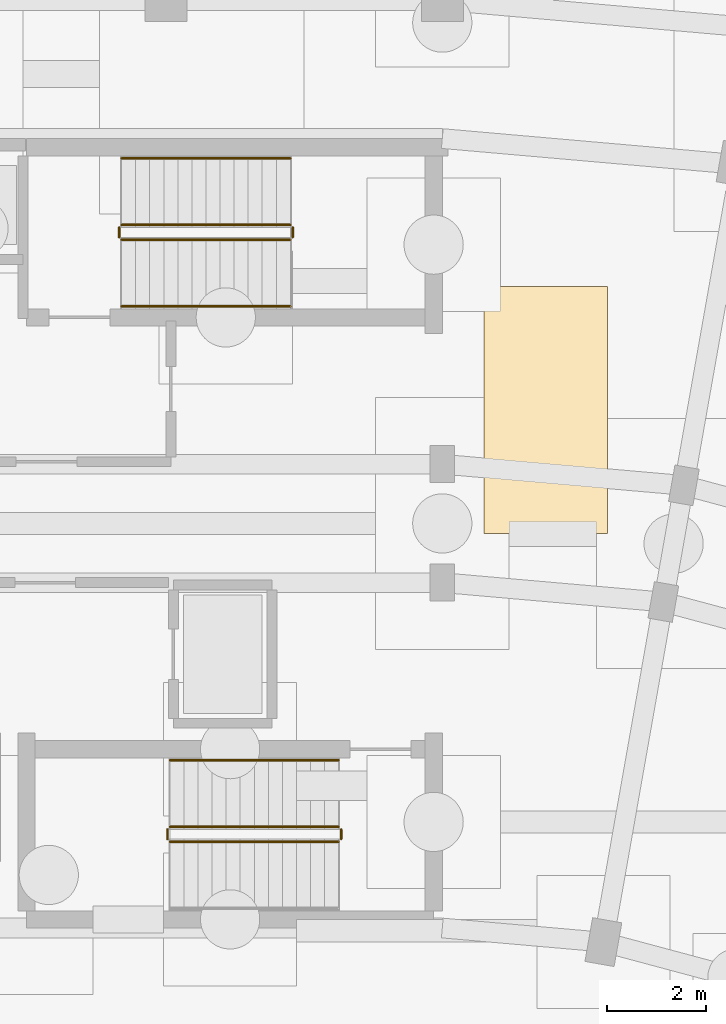
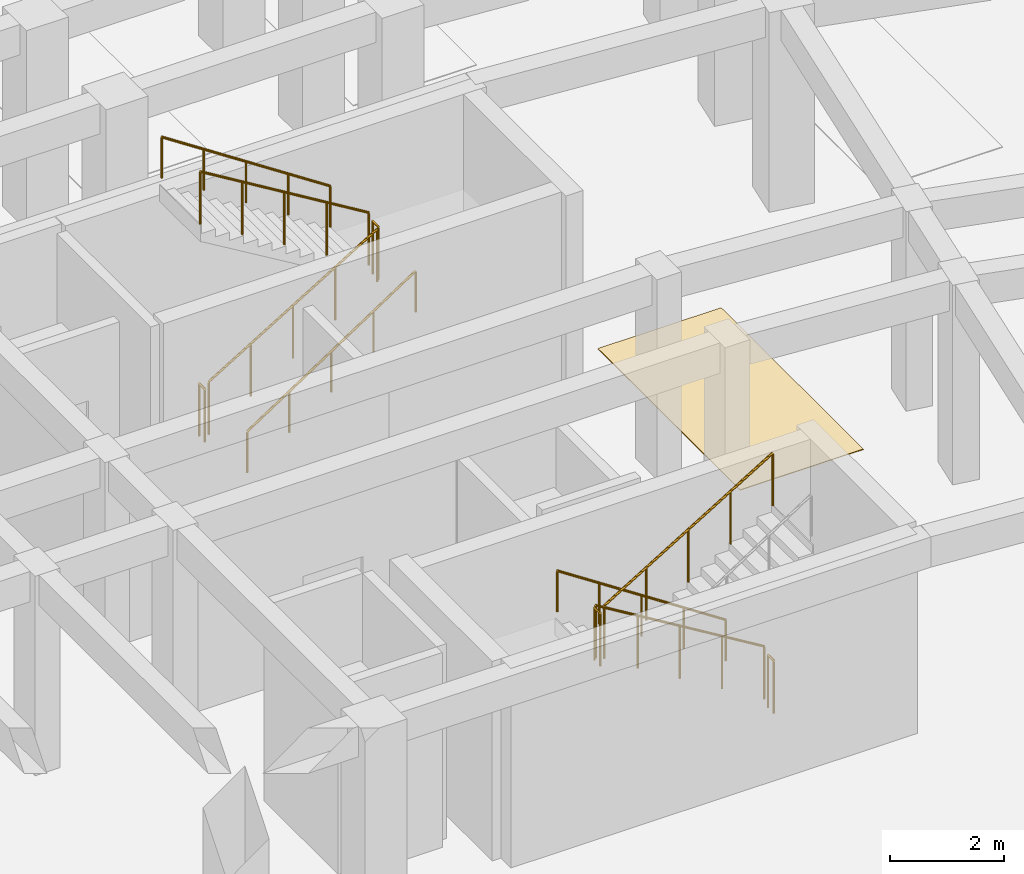
# One storey, part 48 of 53: 11 railings, 1 covering.
"""IFC4 building model written with IfcOpenShell, lengths in metres."""

from ifc_helpers import new_model, si_unit, direction, frame, origin, origin_2d, place, context, subcontext, project, spatial, polyline, circle, outline, extrude, material, layer, layer_set, type_object, element, save


model = new_model("IFC4")

# Units and contexts
model_context = context("Model", 3, precision=1e-05, world=origin(), true_north=direction((0.0, 1.0)))
body_context = subcontext(model_context, "Body", "Model", "MODEL_VIEW")
ifc_project = project(units=[si_unit("LENGTHUNIT", "METRE"), si_unit("AREAUNIT", "SQUARE_METRE"), si_unit("VOLUMEUNIT", "CUBIC_METRE"), si_unit("PLANEANGLEUNIT", "RADIAN"), si_unit("MASSUNIT", "GRAM", prefix="KILO")], contexts=[model_context])

# Site, building, storey
site_placement = place(None, origin())
site = spatial("IfcSite", under=ifc_project, at=site_placement, CompositionType="ELEMENT")
building_placement = place(site_placement, origin())
building = spatial("IfcBuilding", under=site, at=building_placement, Name="Kiranvali Square Residences", CompositionType="ELEMENT")
storey_placement = place(building_placement, frame((0.0, 0.0, -4.5)))
storey = spatial("IfcBuildingStorey", under=building, at=storey_placement, Name="B1", CompositionType="ELEMENT", Elevation=-4.5)

# Covering
ifc_material_1 = material(Name="Polished terrazzo and anti-slip vitrified floor finish", Category="stone")
ifc_layer = layer(ifc_material_1, 0.014892578125)
ifc_layer_set = layer_set([ifc_layer], Name="Polished terrazzo and anti-slip vitrified floor finish")
covering_type = type_object("IfcCoveringType", Name="COV-BAY-STD", PredefinedType="FLOORING", material=ifc_layer_set)
covering_placement = place(storey_placement, origin())
element("IfcCovering", 1, at=covering_placement, inside=storey, type_object=covering_type, Name="Standard Car Parking Bay P-014", PredefinedType="FLOORING", context=body_context, shape_type="SweptSolid", body=[
    extrude(outline(polyline([(120.64990234375, 114.60009765625), (123.14990234375, 114.60009765625), (123.14990234375, 119.60009765625), (120.64990234375, 119.60009765625), (120.64990234375, 114.60009765625)])), origin(), (0.0, 0.0, 1.0), 0.014892578125),
])

# Railings
ifc_material_2 = material(Name="Brushed stainless steel tubular handrail", Category="steel")
railing_type_1 = type_object("IfcRailingType", Name="RL-HANDRAIL-900", PredefinedType="HANDRAIL", material=ifc_material_2)
railing_1_placement = place(storey_placement, frame((113.300048828125, 119.199951171875, 0.173095703125)))
element("IfcRailing", 2, at=railing_1_placement, inside=storey, type_object=railing_type_1, Name="B1 ST-B1 stair handrail 1", PredefinedType="HANDRAIL", context=body_context, shape_type="SweptSolid", body=[
    extrude(circle(Radius=0.02392578125, at=origin_2d()), frame((0.0, 0.0, 0.8759765625), z_axis=(0.835411317272, 0.0, 0.549625264133), x_axis=(0.0, 1.0, 0.0)), (0.0, 0.0, 1.0), 4.09375),
    extrude(circle(Radius=0.02099609375, at=origin_2d()), origin(), (0.0, 0.0, 1.0), 0.851806640625),
    extrude(circle(Radius=0.02099609375, at=origin_2d()), frame((0.85498046875, 0.0, 0.5625)), (0.0, 0.0, 1.0), 0.851806640625),
    extrude(circle(Radius=0.02099609375, at=origin_2d()), frame((1.7099609375, 0.0, 1.125)), (0.0, 0.0, 1.0), 0.851806640625),
    extrude(circle(Radius=0.02099609375, at=origin_2d()), frame((2.56494140625, 0.0, 1.6875)), (0.0, 0.0, 1.0), 0.851806640625),
    extrude(circle(Radius=0.02099609375, at=origin_2d()), frame((3.419921875, 0.0, 2.25)), (0.0, 0.0, 1.0), 0.851806640625),
])
for number, where, name in (
    (3, (116.719970703125, 122.199951171875, 2.423095703125), "B1 ST-B1 stair handrail 2"),
    (4, (117.699951171875, 110.0, 0.173095703125), "B1 ST-B2 stair handrail 1"),
):
    element("IfcRailing", number, at=place(storey_placement, frame(where)), inside=storey, type_object=railing_type_1, Name=name, PredefinedType="HANDRAIL", context=body_context, shape_type="SweptSolid", body=[
        extrude(circle(Radius=0.02392578125, at=origin_2d()), frame((0.0, 0.0, 0.8759765625), z_axis=(-0.835411317272, 0.0, 0.549625264133), x_axis=(0.0, -1.0, 0.0)), (0.0, 0.0, 1.0), 4.09375),
        extrude(circle(Radius=0.02099609375, at=origin_2d()), origin(), (0.0, 0.0, 1.0), 0.851806640625),
        extrude(circle(Radius=0.02099609375, at=origin_2d()), frame((-0.85498046875, 0.0, 0.5625)), (0.0, 0.0, 1.0), 0.851806640625),
        extrude(circle(Radius=0.02099609375, at=origin_2d()), frame((-1.7099609375, 0.0, 1.125)), (0.0, 0.0, 1.0), 0.851806640625),
        extrude(circle(Radius=0.02099609375, at=origin_2d()), frame((-2.56494140625, 0.0, 1.6875)), (0.0, 0.0, 1.0), 0.851806640625),
        extrude(circle(Radius=0.02099609375, at=origin_2d()), frame((-3.419921875, 0.0, 2.25)), (0.0, 0.0, 1.0), 0.851806640625),
    ])
ifc_material_3 = material(Name="Powder-coated architectural bronze balustrade", Category="steel")
railing_type_2 = type_object("IfcRailingType", Name="RL-ST-GUARD-1200", PredefinedType="GUARDRAIL", material=ifc_material_3)
railing_2_placement = place(storey_placement, frame((113.300048828125, 120.550048828125, 0.173095703125)))
element("IfcRailing", 5, at=railing_2_placement, inside=storey, type_object=railing_type_2, Name="B1 ST-B1 stair guard 1", PredefinedType="GUARDRAIL", context=body_context, shape_type="SweptSolid", body=[
    extrude(circle(Radius=0.02392578125, at=origin_2d()), frame((0.0, 0.0, 1.1259765625), z_axis=(0.854729506542, 0.0, 0.519073665916), x_axis=(0.0, 1.0, 0.0)), (0.0, 0.0, 1.0), 4.001220703125),
    extrude(circle(Radius=0.02099609375, at=origin_2d()), origin(), (0.0, 0.0, 1.0), 1.101806640625),
    extrude(circle(Radius=0.02099609375, at=origin_2d()), frame((0.85498046875, 0.0, 0.519287109375)), (0.0, 0.0, 1.0), 1.101806640625),
    extrude(circle(Radius=0.02099609375, at=origin_2d()), frame((1.7099609375, 0.0, 1.03857421875)), (0.0, 0.0, 1.0), 1.101806640625),
    extrude(circle(Radius=0.02099609375, at=origin_2d()), frame((2.56494140625, 0.0, 1.5576171875)), (0.0, 0.0, 1.0), 1.101806640625),
    extrude(circle(Radius=0.02099609375, at=origin_2d()), frame((3.419921875, 0.0, 2.076904296875)), (0.0, 0.0, 1.0), 1.101806640625),
])
railing_3_placement = place(storey_placement, frame((116.77001953125, 120.60009765625, 2.25)))
element("IfcRailing", 6, at=railing_3_placement, inside=storey, type_object=railing_type_2, Name="B1 ST-B1 stair guard 2", PredefinedType="GUARDRAIL", context=body_context, shape_type="SweptSolid", body=[
    extrude(circle(Radius=0.02392578125, at=origin_2d()), frame((0.0, 0.0, 1.1259765625), z_axis=(0.0, 1.0, 0.0), x_axis=(-1.0, 0.0, 0.0)), (0.0, 0.0, 1.0), 0.199951171875),
    extrude(circle(Radius=0.02099609375, at=origin_2d()), origin(), (0.0, 0.0, 1.0), 1.101806640625),
    extrude(circle(Radius=0.02099609375, at=origin_2d()), frame((0.0, 0.199951171875, 0.0)), (0.0, 0.0, 1.0), 1.101806640625),
])
railing_4_placement = place(storey_placement, frame((116.719970703125, 120.85009765625, 2.423095703125)))
element("IfcRailing", 7, at=railing_4_placement, inside=storey, type_object=railing_type_2, Name="B1 ST-B1 stair guard 3", PredefinedType="GUARDRAIL", context=body_context, shape_type="SweptSolid", body=[
    extrude(circle(Radius=0.02392578125, at=origin_2d()), frame((0.0, 0.0, 1.1259765625), z_axis=(-0.854729506542, 0.0, 0.519073665916), x_axis=(0.0, -1.0, 0.0)), (0.0, 0.0, 1.0), 4.001220703125),
    extrude(circle(Radius=0.02099609375, at=origin_2d()), origin(), (0.0, 0.0, 1.0), 1.101806640625),
    extrude(circle(Radius=0.02099609375, at=origin_2d()), frame((-0.85498046875, 0.0, 0.519287109375)), (0.0, 0.0, 1.0), 1.101806640625),
    extrude(circle(Radius=0.02099609375, at=origin_2d()), frame((-1.7099609375, 0.0, 1.03857421875)), (0.0, 0.0, 1.0), 1.101806640625),
    extrude(circle(Radius=0.02099609375, at=origin_2d()), frame((-2.56494140625, 0.0, 1.5576171875)), (0.0, 0.0, 1.0), 1.101806640625),
    extrude(circle(Radius=0.02099609375, at=origin_2d()), frame((-3.419921875, 0.0, 2.076904296875)), (0.0, 0.0, 1.0), 1.101806640625),
])
railing_5_placement = place(storey_placement, frame((113.25, 120.60009765625, 0.0)))
element("IfcRailing", 8, at=railing_5_placement, inside=storey, type_object=railing_type_2, Name="B1 ST-B1 stair guard 4", PredefinedType="GUARDRAIL", context=body_context, shape_type="SweptSolid", body=[
    extrude(circle(Radius=0.02392578125, at=origin_2d()), frame((0.0, 0.0, 1.1259765625), z_axis=(0.0, 1.0, 0.0), x_axis=(-1.0, 0.0, 0.0)), (0.0, 0.0, 1.0), 0.199951171875),
    extrude(circle(Radius=0.02099609375, at=origin_2d()), origin(), (0.0, 0.0, 1.0), 1.101806640625),
    extrude(circle(Radius=0.02099609375, at=origin_2d()), frame((0.0, 0.199951171875, 0.0)), (0.0, 0.0, 1.0), 1.101806640625),
])
railing_6_placement = place(storey_placement, frame((117.699951171875, 108.64990234375, 0.173095703125)))
element("IfcRailing", 9, at=railing_6_placement, inside=storey, type_object=railing_type_2, Name="B1 ST-B2 stair guard 1", PredefinedType="GUARDRAIL", context=body_context, shape_type="SweptSolid", body=[
    extrude(circle(Radius=0.02392578125, at=origin_2d()), frame((0.0, 0.0, 1.1259765625), z_axis=(-0.854729506542, 0.0, 0.519073665916), x_axis=(0.0, -1.0, 0.0)), (0.0, 0.0, 1.0), 4.001220703125),
    extrude(circle(Radius=0.02099609375, at=origin_2d()), origin(), (0.0, 0.0, 1.0), 1.101806640625),
    extrude(circle(Radius=0.02099609375, at=origin_2d()), frame((-0.85498046875, 0.0, 0.519287109375)), (0.0, 0.0, 1.0), 1.101806640625),
    extrude(circle(Radius=0.02099609375, at=origin_2d()), frame((-1.7099609375, 0.0, 1.03857421875)), (0.0, 0.0, 1.0), 1.101806640625),
    extrude(circle(Radius=0.02099609375, at=origin_2d()), frame((-2.56494140625, 0.0, 1.5576171875)), (0.0, 0.0, 1.0), 1.101806640625),
    extrude(circle(Radius=0.02099609375, at=origin_2d()), frame((-3.419921875, 0.0, 2.076904296875)), (0.0, 0.0, 1.0), 1.101806640625),
])
railing_7_placement = place(storey_placement, frame((114.22998046875, 108.60009765625, 2.25)))
element("IfcRailing", 10, at=railing_7_placement, inside=storey, type_object=railing_type_2, Name="B1 ST-B2 stair guard 2", PredefinedType="GUARDRAIL", context=body_context, shape_type="SweptSolid", body=[
    extrude(circle(Radius=0.02392578125, at=origin_2d()), frame((0.0, 0.0, 1.1259765625), z_axis=(0.0, -1.0, 0.0), x_axis=(1.0, 0.0, 0.0)), (0.0, 0.0, 1.0), 0.2001953125),
    extrude(circle(Radius=0.02099609375, at=origin_2d()), origin(), (0.0, 0.0, 1.0), 1.101806640625),
    extrude(circle(Radius=0.02099609375, at=origin_2d()), frame((0.0, -0.2001953125, 0.0)), (0.0, 0.0, 1.0), 1.101806640625),
])
railing_8_placement = place(storey_placement, frame((114.280029296875, 108.35009765625, 2.423095703125)))
element("IfcRailing", 11, at=railing_8_placement, inside=storey, type_object=railing_type_2, Name="B1 ST-B2 stair guard 3", PredefinedType="GUARDRAIL", context=body_context, shape_type="SweptSolid", body=[
    extrude(circle(Radius=0.02392578125, at=origin_2d()), frame((0.0, 0.0, 1.1259765625), z_axis=(0.854729506542, 0.0, 0.519073665916), x_axis=(0.0, 1.0, 0.0)), (0.0, 0.0, 1.0), 4.001220703125),
    extrude(circle(Radius=0.02099609375, at=origin_2d()), origin(), (0.0, 0.0, 1.0), 1.101806640625),
    extrude(circle(Radius=0.02099609375, at=origin_2d()), frame((0.85498046875, 0.0, 0.519287109375)), (0.0, 0.0, 1.0), 1.101806640625),
    extrude(circle(Radius=0.02099609375, at=origin_2d()), frame((1.7099609375, 0.0, 1.03857421875)), (0.0, 0.0, 1.0), 1.101806640625),
    extrude(circle(Radius=0.02099609375, at=origin_2d()), frame((2.56494140625, 0.0, 1.5576171875)), (0.0, 0.0, 1.0), 1.101806640625),
    extrude(circle(Radius=0.02099609375, at=origin_2d()), frame((3.419921875, 0.0, 2.076904296875)), (0.0, 0.0, 1.0), 1.101806640625),
])
railing_9_placement = place(storey_placement, frame((117.75, 108.60009765625, 0.0)))
element("IfcRailing", 12, at=railing_9_placement, inside=storey, type_object=railing_type_2, Name="B1 ST-B2 stair guard 4", PredefinedType="GUARDRAIL", context=body_context, shape_type="SweptSolid", body=[
    extrude(circle(Radius=0.02392578125, at=origin_2d()), frame((0.0, 0.0, 1.1259765625), z_axis=(0.0, -1.0, 0.0), x_axis=(1.0, 0.0, 0.0)), (0.0, 0.0, 1.0), 0.2001953125),
    extrude(circle(Radius=0.02099609375, at=origin_2d()), origin(), (0.0, 0.0, 1.0), 1.101806640625),
    extrude(circle(Radius=0.02099609375, at=origin_2d()), frame((0.0, -0.2001953125, 0.0)), (0.0, 0.0, 1.0), 1.101806640625),
])

save(model, "model.ifc")
